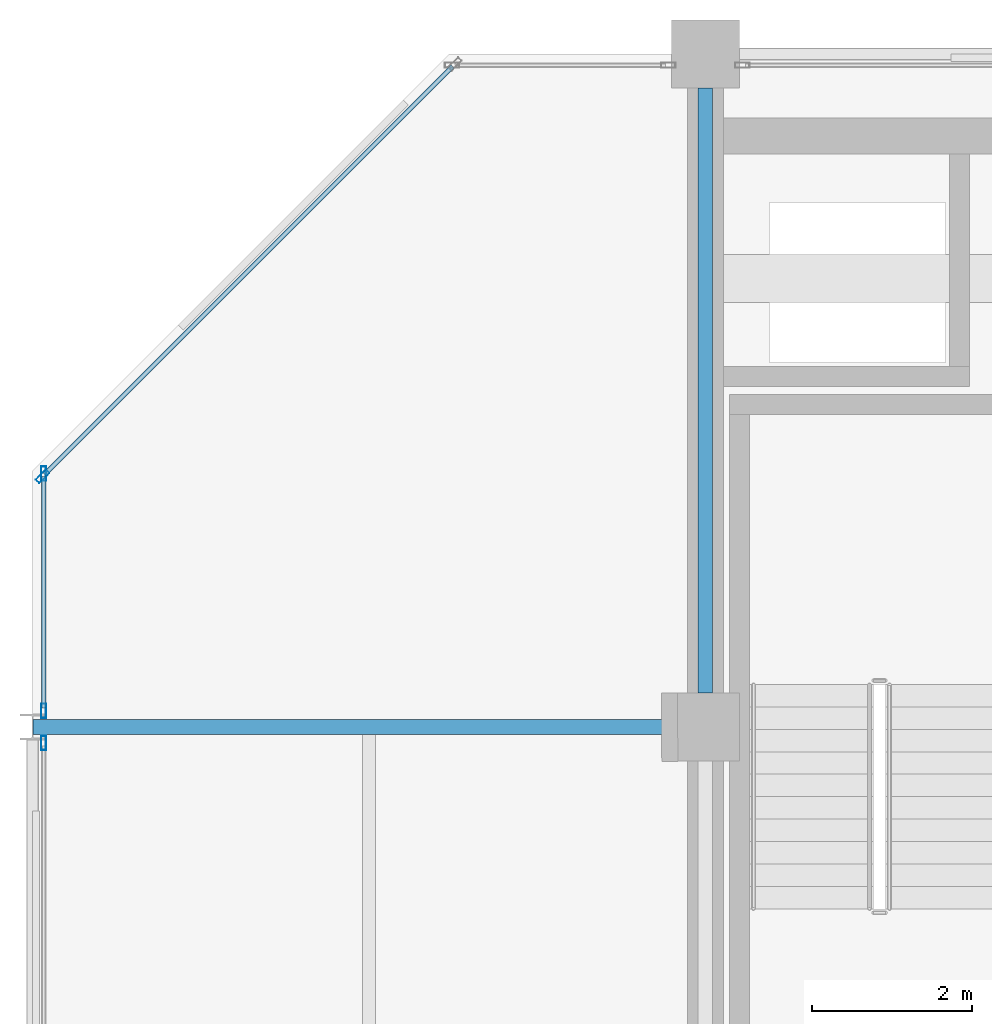
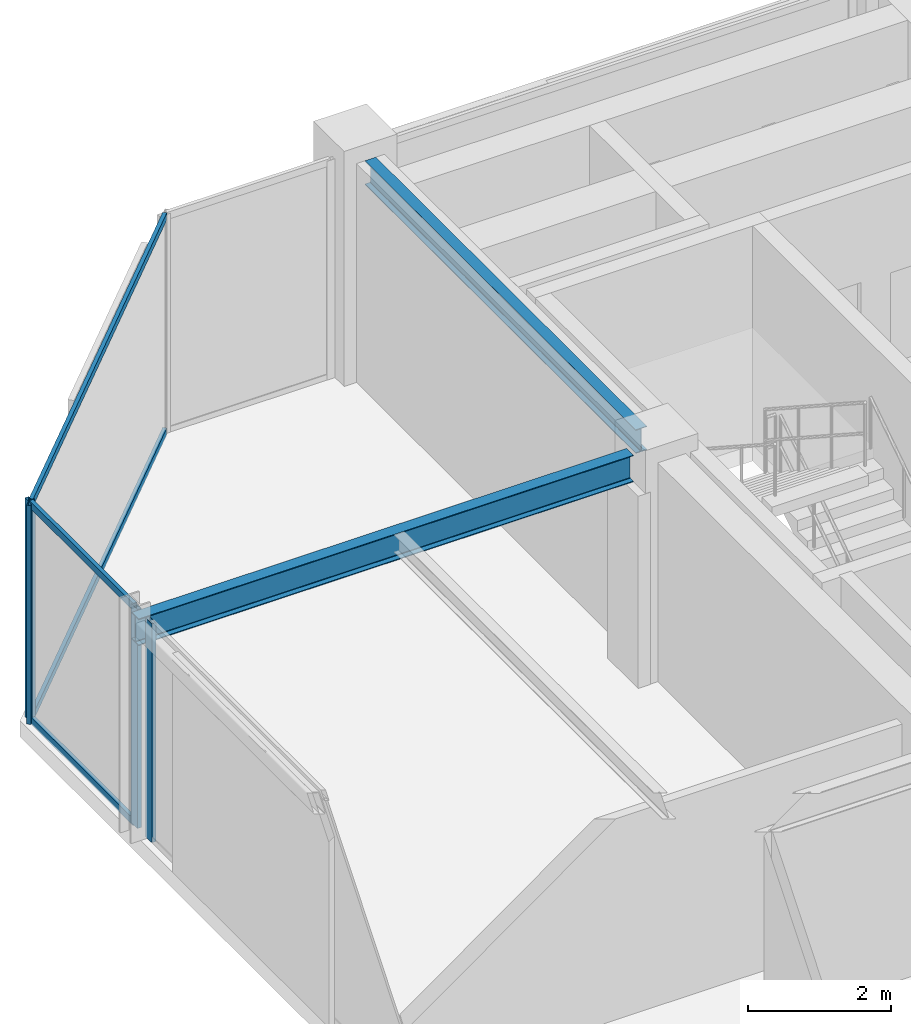
# One storey, part 16 of 24: 8 members, 2 beams, 3 elements without a shape of their own.
"""IFC4 building model written with IfcOpenShell, lengths in metres."""

from ifc_helpers import new_model, si_unit, direction, frame, origin, origin_2d, place, context, subcontext, project, spatial, hollow_rectangle, i_section, extrude, material, layer, layer_set, material_profile, profile_set, type_object, element, aggregate, save


model = new_model("IFC4")

# Units and contexts
model_context = context("Model", 3, precision=1e-05, world=origin(), true_north=direction((0.0, 1.0)))
body_context = subcontext(model_context, "Body", "Model", "MODEL_VIEW")
ifc_project = project(units=[si_unit("LENGTHUNIT", "METRE"), si_unit("AREAUNIT", "SQUARE_METRE"), si_unit("VOLUMEUNIT", "CUBIC_METRE"), si_unit("PLANEANGLEUNIT", "RADIAN"), si_unit("MASSUNIT", "GRAM", prefix="KILO")], contexts=[model_context])

# Site, building, storey
site_placement = place(None, origin())
site = spatial("IfcSite", under=ifc_project, at=site_placement, CompositionType="ELEMENT")
building_placement = place(site_placement, origin())
building = spatial("IfcBuilding", under=site, at=building_placement, Name="Nerrivon Quay Data Exchange", CompositionType="ELEMENT")
storey_placement = place(building_placement, frame((0.0, 0.0, 298.199951171875)))
storey = spatial("IfcBuildingStorey", under=building, at=storey_placement, Name="L71", CompositionType="ELEMENT", Elevation=298.199951171875)

# Beams
ifc_material_1 = material(Name="Steel Grade 350", Category="steel")
ifc_material_profile_1 = material_profile(ifc_material_1, i_section(OverallWidth=0.18994140625, OverallDepth=0.4541015625, WebThickness=0.008544921875, FlangeThickness=0.0126953125, FilletRadius=0.011474609375, at=origin_2d()), Name="460UB67.1")
ifc_profile_set_1 = profile_set([ifc_material_profile_1], Name="Steel Grade 350")
beam_type_1 = type_object("IfcBeamType", Name="BM-G6-460UB67", PredefinedType="BEAM", material=ifc_profile_set_1)
beam_1_placement = place(storey_placement, frame((0.0078125, 33.60009765625, 3.498046875), z_axis=(1.0, 0.0, 0.0), x_axis=(0.0, 1.0, 0.0)))
element("IfcBeam", 1, at=beam_1_placement, inside=storey, type_object=beam_type_1, Name="L71 EW Girder Y=33.6 (0.0..8.4)", PredefinedType="BEAM", context=body_context, shape_type="SweptSolid", body=[
    extrude(i_section(OverallWidth=0.18994140625, OverallDepth=0.4541015625, WebThickness=0.008544921875, FlangeThickness=0.0126953125, FilletRadius=0.011474609375, at=origin_2d()), origin(), (0.0, 0.0, 1.0), 7.96728515625),
])
ifc_material_profile_2 = material_profile(ifc_material_1, i_section(OverallWidth=0.177978515625, OverallDepth=0.406005859375, WebThickness=0.0078125, FlangeThickness=0.0126953125, FilletRadius=0.011474609375, at=origin_2d()), Name="410UB59.7")
ifc_profile_set_2 = profile_set([ifc_material_profile_2], Name="Steel Grade 350")
beam_type_2 = type_object("IfcBeamType", Name="BM-J1-410UB60", PredefinedType="JOIST", material=ifc_profile_set_2)
beam_2_placement = place(storey_placement, frame((8.39990234375, 34.02490234375, 3.52197265625), z_axis=(0.0, 1.0, 0.0), x_axis=(-1.0, 0.0, 0.0)))
element("IfcBeam", 2, at=beam_2_placement, inside=storey, type_object=beam_type_2, Name="L71 NS Girder X=8.4 (33.6..42.0)", PredefinedType="JOIST", context=body_context, shape_type="SweptSolid", body=[
    extrude(i_section(OverallWidth=0.177978515625, OverallDepth=0.406005859375, WebThickness=0.0078125, FlangeThickness=0.0126953125, FilletRadius=0.011474609375, at=origin_2d()), origin(), (0.0, 0.0, 1.0), 7.550048828125),
])

# Curtain wall, member
ifc_material_2 = material(Name="Anodised aluminium 6063-T6", Category="aluminium")
ifc_layer = layer(ifc_material_2, 0.195068359375)
ifc_layer_set = layer_set([ifc_layer], Name="Anodised aluminium 6063-T6")
curtain_wall_type = type_object("IfcCurtainWallType", Name="CW-SYS-06", PredefinedType="NOTDEFINED", material=ifc_layer_set)
curtain_wall_1_placement = place(storey_placement, origin())
curtain_wall_1 = element("IfcCurtainWall", 3, at=curtain_wall_1_placement, inside=storey, type_object=curtain_wall_type, Name="L71 Unitised Curtain Wall 11", PredefinedType="NOTDEFINED")
ifc_material_profile_3 = material_profile(ifc_material_2, hollow_rectangle(XDim=0.06494140625, YDim=0.179931640625, WallThickness=0.00341796875, at=origin_2d()), Name="ALU-MULL-180x65")
ifc_profile_set_3 = profile_set([ifc_material_profile_3], Name="Anodised aluminium 6063-T6")
member_type_1 = type_object("IfcMemberType", Name="CWM-180x65", PredefinedType="MULLION", material=ifc_profile_set_3)
member_1_placement = place(storey_placement, frame((0.139892578125, 33.39892578125, 0.0), z_axis=(0.0, 0.0, 1.0), x_axis=(-1.0, 0.0, 0.0)))
member_1 = element("IfcMember", 4, at=member_1_placement, type_object=member_type_1, Name="CW06 mullion 2", PredefinedType="MULLION", context=body_context, shape_type="SweptSolid", body=[
    extrude(hollow_rectangle(XDim=0.06494140625, YDim=0.179931640625, WallThickness=0.00341796875, at=origin_2d()), origin(), (0.0, 0.0, 1.0), 3.72509765625),
])
aggregate(curtain_wall_1, [member_1])

# Curtain wall, members
curtain_wall_2_placement = place(storey_placement, origin())
curtain_wall_2 = element("IfcCurtainWall", 5, at=curtain_wall_2_placement, inside=storey, type_object=curtain_wall_type, Name="L71 Unitised Curtain Wall 12", PredefinedType="NOTDEFINED")
member_2_placement = place(storey_placement, frame((0.139892578125, 33.801025390625, 0.0), z_axis=(0.0, 0.0, 1.0), x_axis=(-1.0, 0.0, 0.0)))
member_2 = element("IfcMember", 6, at=member_2_placement, type_object=member_type_1, Name="CW06 mullion 1", PredefinedType="MULLION", context=body_context, shape_type="SweptSolid", body=[
    extrude(hollow_rectangle(XDim=0.06494140625, YDim=0.179931640625, WallThickness=0.00341796875, at=origin_2d()), origin(), (0.0, 0.0, 1.0), 3.72509765625),
])
member_3_placement = place(storey_placement, frame((0.139892578125, 36.762451171875, 0.0), z_axis=(0.0, 0.0, 1.0), x_axis=(-1.0, 0.0, 0.0)))
member_3 = element("IfcMember", 7, at=member_3_placement, type_object=member_type_1, Name="CW06 mullion 2", PredefinedType="MULLION", context=body_context, shape_type="SweptSolid", body=[
    extrude(hollow_rectangle(XDim=0.06494140625, YDim=0.179931640625, WallThickness=0.00341796875, at=origin_2d()), origin(), (0.0, 0.0, 1.0), 3.72509765625),
])

# Curtain wall, member
curtain_wall_3_placement = place(storey_placement, origin())
curtain_wall_3 = element("IfcCurtainWall", 8, at=curtain_wall_3_placement, inside=storey, type_object=curtain_wall_type, Name="L71 Unitised Curtain Wall 13", PredefinedType="NOTDEFINED")
member_4_placement = place(storey_placement, frame((0.12548828125, 36.7275390625, 0.0), z_axis=(0.0, 0.0, 1.0), x_axis=(-0.707106781187, 0.707106781187, 0.0)))
member_4 = element("IfcMember", 9, at=member_4_placement, type_object=member_type_1, Name="CW06 mullion 1", PredefinedType="MULLION", context=body_context, shape_type="SweptSolid", body=[
    extrude(hollow_rectangle(XDim=0.06494140625, YDim=0.179931640625, WallThickness=0.00341796875, at=origin_2d()), origin(), (0.0, 0.0, 1.0), 3.72509765625),
])

# Member
ifc_material_profile_4 = material_profile(ifc_material_2, hollow_rectangle(XDim=0.06005859375, YDim=0.1201171875, WallThickness=0.003173828125, at=origin_2d()), Name="ALU-TRAN-120x60")
ifc_profile_set_4 = profile_set([ifc_material_profile_4], Name="Anodised aluminium 6063-T6")
member_type_2 = type_object("IfcMemberType", Name="CWT-120x60", PredefinedType="USERDEFINED", material=ifc_profile_set_4)
member_5_placement = place(storey_placement, frame((0.139892578125, 33.83837890625, 0.032470703125), z_axis=(0.0, 1.0, 0.0), x_axis=(-1.0, 0.0, 0.0)))
member_5 = element("IfcMember", 10, at=member_5_placement, type_object=member_type_2, Name="CW06 transom 1.1", ObjectType="TRANSOM", PredefinedType="USERDEFINED", context=body_context, shape_type="SweptSolid", body=[
    extrude(hollow_rectangle(XDim=0.06005859375, YDim=0.1201171875, WallThickness=0.003173828125, at=origin_2d()), origin(), (0.0, 0.0, 1.0), 2.88671875),
])

member_6_placement = place(storey_placement, frame((0.139892578125, 33.83837890625, 3.692626953125), z_axis=(0.0, 1.0, 0.0), x_axis=(-1.0, 0.0, 0.0)))
member_6 = element("IfcMember", 11, at=member_6_placement, type_object=member_type_2, Name="CW06 transom 1.2", ObjectType="TRANSOM", PredefinedType="USERDEFINED", context=body_context, shape_type="SweptSolid", body=[
    extrude(hollow_rectangle(XDim=0.06005859375, YDim=0.1201171875, WallThickness=0.003173828125, at=origin_2d()), origin(), (0.0, 0.0, 1.0), 2.88671875),
])

aggregate(curtain_wall_2, [member_2, member_3, member_5, member_6])

member_7_placement = place(storey_placement, frame((0.152099609375, 36.754150390625, 0.032470703125), z_axis=(0.707106781187, 0.707106781187, 0.0), x_axis=(-0.707106781187, 0.707106781187, 0.0)))
member_7 = element("IfcMember", 12, at=member_7_placement, type_object=member_type_2, Name="CW06 transom 1.1", ObjectType="TRANSOM", PredefinedType="USERDEFINED", context=body_context, shape_type="SweptSolid", body=[
    extrude(hollow_rectangle(XDim=0.06005859375, YDim=0.1201171875, WallThickness=0.003173828125, at=origin_2d()), origin(), (0.0, 0.0, 1.0), 7.20361328125),
])

member_8_placement = place(storey_placement, frame((0.152099609375, 36.754150390625, 3.692626953125), z_axis=(0.707106781187, 0.707106781187, 0.0), x_axis=(-0.707106781187, 0.707106781187, 0.0)))
member_8 = element("IfcMember", 13, at=member_8_placement, type_object=member_type_2, Name="CW06 transom 1.2", ObjectType="TRANSOM", PredefinedType="USERDEFINED", context=body_context, shape_type="SweptSolid", body=[
    extrude(hollow_rectangle(XDim=0.06005859375, YDim=0.1201171875, WallThickness=0.003173828125, at=origin_2d()), origin(), (0.0, 0.0, 1.0), 7.20361328125),
])

aggregate(curtain_wall_3, [member_4, member_7, member_8])

save(model, "model.ifc")
